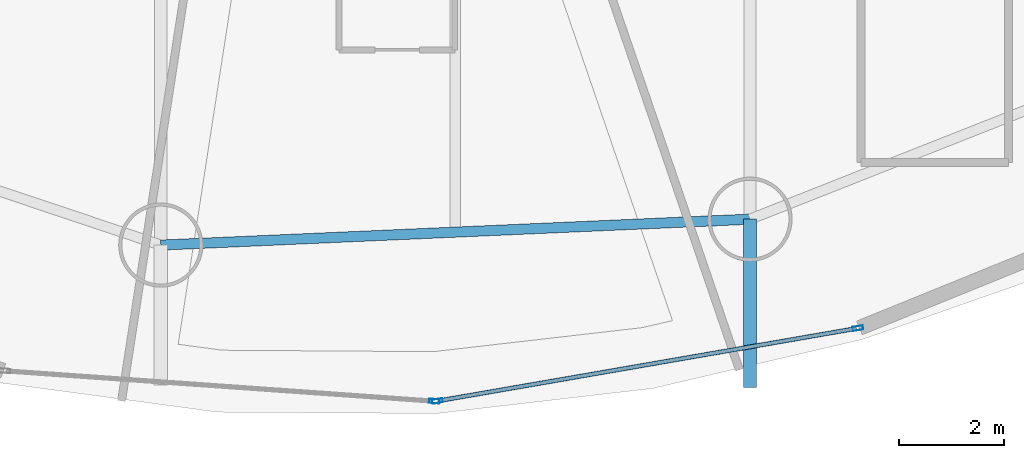
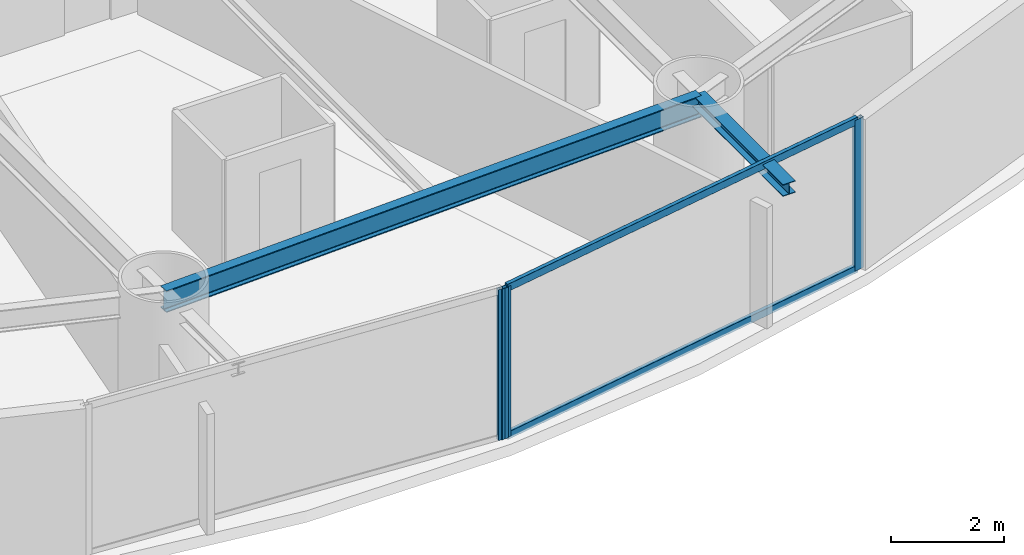
# One storey, part 8 of 27: 5 members, 2 beams, 2 elements without a shape of their own.
"""IFC4 building model written with IfcOpenShell, lengths in metres."""

from ifc_helpers import new_model, si_unit, direction, frame, origin, origin_2d, place, context, subcontext, project, spatial, hollow_rectangle, i_section, extrude, material, layer, layer_set, material_profile, profile_set, type_object, element, aggregate, save


model = new_model("IFC4")

# Units and contexts
model_context = context("Model", 3, precision=1e-05, world=origin(), true_north=direction((0.0, 1.0)))
body_context = subcontext(model_context, "Body", "Model", "MODEL_VIEW")
ifc_project = project(units=[si_unit("LENGTHUNIT", "METRE"), si_unit("AREAUNIT", "SQUARE_METRE"), si_unit("VOLUMEUNIT", "CUBIC_METRE"), si_unit("PLANEANGLEUNIT", "RADIAN"), si_unit("MASSUNIT", "GRAM", prefix="KILO")], contexts=[model_context])

# Site, building, storey
site_placement = place(None, origin())
site = spatial("IfcSite", under=ifc_project, at=site_placement, CompositionType="ELEMENT")
building_placement = place(site_placement, origin())
building = spatial("IfcBuilding", under=site, at=building_placement, Name="Bramvorn Convention Spire", CompositionType="ELEMENT")
storey_placement = place(building_placement, frame((0.0, 0.0, 79.89990234375)))
storey = spatial("IfcBuildingStorey", under=building, at=storey_placement, Name="L18", CompositionType="ELEMENT", Elevation=79.89990234375)

# Beams
ifc_material_1 = material(Name="Steel CSA G40.21 Grade 350 (350W)", Category="steel")
ifc_material_profile_1 = material_profile(ifc_material_1, i_section(OverallWidth=0.25390625, OverallDepth=0.2529296875, WebThickness=0.008544921875, FlangeThickness=0.01416015625, FilletRadius=0.011962890625, at=origin_2d()))
ifc_profile_set_1 = profile_set([ifc_material_profile_1], Name="Steel CSA G40.21 Grade 350 (350W) - W250X73")
beam_type_1 = type_object("IfcBeamType", Name="BM-W250X73", PredefinedType="BEAM", material=ifc_profile_set_1)
beam_1_placement = place(storey_placement, frame((46.23779296875, 5.42333984375, 3.12353515625), z_axis=(0.0, -1.0, 0.0), x_axis=(1.0, 0.0, 0.0)))
element("IfcBeam", 1, at=beam_1_placement, inside=storey, type_object=beam_type_1, Name="L18 slab-edge cantilever tip beam MC14", PredefinedType="BEAM", context=body_context, shape_type="SweptSolid", body=[
    extrude(i_section(OverallWidth=0.25390625, OverallDepth=0.2529296875, WebThickness=0.008544921875, FlangeThickness=0.01416015625, FilletRadius=0.011962890625, at=origin_2d()), origin(), (0.0, 0.0, 1.0), 3.199951171875),
])
ifc_material_profile_2 = material_profile(ifc_material_1, i_section(OverallWidth=0.194091796875, OverallDepth=0.468994140625, WebThickness=0.0126953125, FlangeThickness=0.0205078125, FilletRadius=0.01806640625, at=origin_2d()))
ifc_profile_set_2 = profile_set([ifc_material_profile_2], Name="Steel CSA G40.21 Grade 350 (350W) - W460X106")
beam_type_2 = type_object("IfcBeamType", Name="BM-W460X106", PredefinedType="SPANDREL", material=ifc_profile_set_2)
beam_2_placement = place(storey_placement, frame((35.0390625, 4.93115234375, 3.015625), z_axis=(0.999035582762, 0.043907907889, 0.0), x_axis=(-0.043907907889, 0.999035582762, 0.0)))
element("IfcBeam", 2, at=beam_2_placement, inside=storey, type_object=beam_type_2, Name="L18 mega-column ring beam 13", PredefinedType="SPANDREL", context=body_context, shape_type="SweptSolid", body=[
    extrude(i_section(OverallWidth=0.194091796875, OverallDepth=0.468994140625, WebThickness=0.0126953125, FlangeThickness=0.0205078125, FilletRadius=0.01806640625, at=origin_2d()), origin(), (0.0, 0.0, 1.0), 11.20947265625),
])

# Curtain wall, member
ifc_material_2 = material(Name="Anodised Bronze Unitised Curtain Wall", Category="aluminium")
ifc_layer = layer(ifc_material_2, 0.179931640625)
ifc_layer_set = layer_set([ifc_layer], Name="Anodised Bronze Unitised Curtain Wall - CW-HTL-FRIT")
curtain_wall_type = type_object("IfcCurtainWallType", Name="CW-HTL-FRIT", PredefinedType="USERDEFINED", material=ifc_layer_set)
curtain_wall_1_placement = place(storey_placement, origin())
curtain_wall_1 = element("IfcCurtainWall", 3, at=curtain_wall_1_placement, inside=storey, type_object=curtain_wall_type, Name="L18 fritted glass curtain wall 19", ObjectType="UNITISED CURTAIN WALL", PredefinedType="USERDEFINED")
ifc_material_3 = material(Name="Anodised Bronze Aluminium 6063-T6", Category="aluminium")
ifc_material_profile_3 = material_profile(ifc_material_3, hollow_rectangle(XDim=0.080078125, YDim=0.199951171875, WallThickness=0.00390625, InnerFilletRadius=0.0009765625, OuterFilletRadius=0.00390625, at=origin_2d()))
ifc_profile_set_3 = profile_set([ifc_material_profile_3], Name="Anodised Bronze Aluminium 6063-T6 - CWM80X200")
member_type_1 = type_object("IfcMemberType", Name="CW-MUL-180", PredefinedType="MULLION", material=ifc_profile_set_3)
member_1_placement = place(storey_placement, frame((40.237060546875, 1.964599609375, 0.0), z_axis=(0.0, 0.0, 1.0), x_axis=(-0.070497687458, -0.997511942817, 0.0)))
member_1 = element("IfcMember", 4, at=member_1_placement, type_object=member_type_1, Name="CW2 mullion 1", PredefinedType="MULLION", context=body_context, shape_type="SweptSolid", body=[
    extrude(hollow_rectangle(XDim=0.080078125, YDim=0.199951171875, WallThickness=0.00390625, InnerFilletRadius=0.0009765625, OuterFilletRadius=0.00390625, at=origin_2d()), origin(), (0.0, 0.0, 1.0), 3.25),
])
aggregate(curtain_wall_1, [member_1])

# Curtain wall, members
curtain_wall_2_placement = place(storey_placement, origin())
curtain_wall_2 = element("IfcCurtainWall", 5, at=curtain_wall_2_placement, inside=storey, type_object=curtain_wall_type, Name="L18 fritted glass curtain wall 20", ObjectType="UNITISED CURTAIN WALL", PredefinedType="USERDEFINED")
member_2_placement = place(storey_placement, frame((48.288330078125, 3.351806640625, 0.0), z_axis=(0.0, 0.0, 1.0), x_axis=(0.170645407519, -0.985332504738, 0.0)))
member_2 = element("IfcMember", 6, at=member_2_placement, type_object=member_type_1, Name="CW2 mullion 1", PredefinedType="MULLION", context=body_context, shape_type="SweptSolid", body=[
    extrude(hollow_rectangle(XDim=0.080078125, YDim=0.199951171875, WallThickness=0.00390625, InnerFilletRadius=0.0009765625, OuterFilletRadius=0.00390625, at=origin_2d()), origin(), (0.0, 0.0, 1.0), 3.25),
])
member_3_placement = place(storey_placement, frame((40.296630859375, 1.9677734375, 0.0), z_axis=(0.0, 0.0, 1.0), x_axis=(0.170645407519, -0.985332504738, 0.0)))
member_3 = element("IfcMember", 7, at=member_3_placement, type_object=member_type_1, Name="CW2 mullion 2", PredefinedType="MULLION", context=body_context, shape_type="SweptSolid", body=[
    extrude(hollow_rectangle(XDim=0.080078125, YDim=0.199951171875, WallThickness=0.00390625, InnerFilletRadius=0.0009765625, OuterFilletRadius=0.00390625, at=origin_2d()), origin(), (0.0, 0.0, 1.0), 3.25),
])
ifc_material_profile_4 = material_profile(ifc_material_3, hollow_rectangle(XDim=0.080078125, YDim=0.159912109375, WallThickness=0.00390625, InnerFilletRadius=0.0009765625, OuterFilletRadius=0.00390625, at=origin_2d()))
ifc_profile_set_4 = profile_set([ifc_material_profile_4], Name="Anodised Bronze Aluminium 6063-T6 - CWT80X160")
member_type_2 = type_object("IfcMemberType", Name="CW-TRN-150", PredefinedType="USERDEFINED", material=ifc_profile_set_4)
member_4_placement = place(storey_placement, frame((48.2587890625, 3.3466796875, 0.030029296875), z_axis=(-0.985333252898, -0.170641087469, 0.0), x_axis=(0.170641087469, -0.985333252898, 0.0)))
member_4 = element("IfcMember", 8, at=member_4_placement, type_object=member_type_2, Name="CW2 transom 1.1", ObjectType="TRANSOM", PredefinedType="USERDEFINED", context=body_context, shape_type="SweptSolid", body=[
    extrude(hollow_rectangle(XDim=0.080078125, YDim=0.159912109375, WallThickness=0.00390625, InnerFilletRadius=0.0009765625, OuterFilletRadius=0.00390625, at=origin_2d()), origin(), (0.0, 0.0, 1.0), 8.05078125),
])
member_5_placement = place(storey_placement, frame((48.2587890625, 3.3466796875, 3.22021484375), z_axis=(-0.985333252898, -0.170641087469, 0.0), x_axis=(0.170641087469, -0.985333252898, 0.0)))
member_5 = element("IfcMember", 9, at=member_5_placement, type_object=member_type_2, Name="CW2 transom 1.2", ObjectType="TRANSOM", PredefinedType="USERDEFINED", context=body_context, shape_type="SweptSolid", body=[
    extrude(hollow_rectangle(XDim=0.080078125, YDim=0.159912109375, WallThickness=0.00390625, InnerFilletRadius=0.0009765625, OuterFilletRadius=0.00390625, at=origin_2d()), origin(), (0.0, 0.0, 1.0), 8.05078125),
])
aggregate(curtain_wall_2, [member_2, member_3, member_4, member_5])

save(model, "model.ifc")
